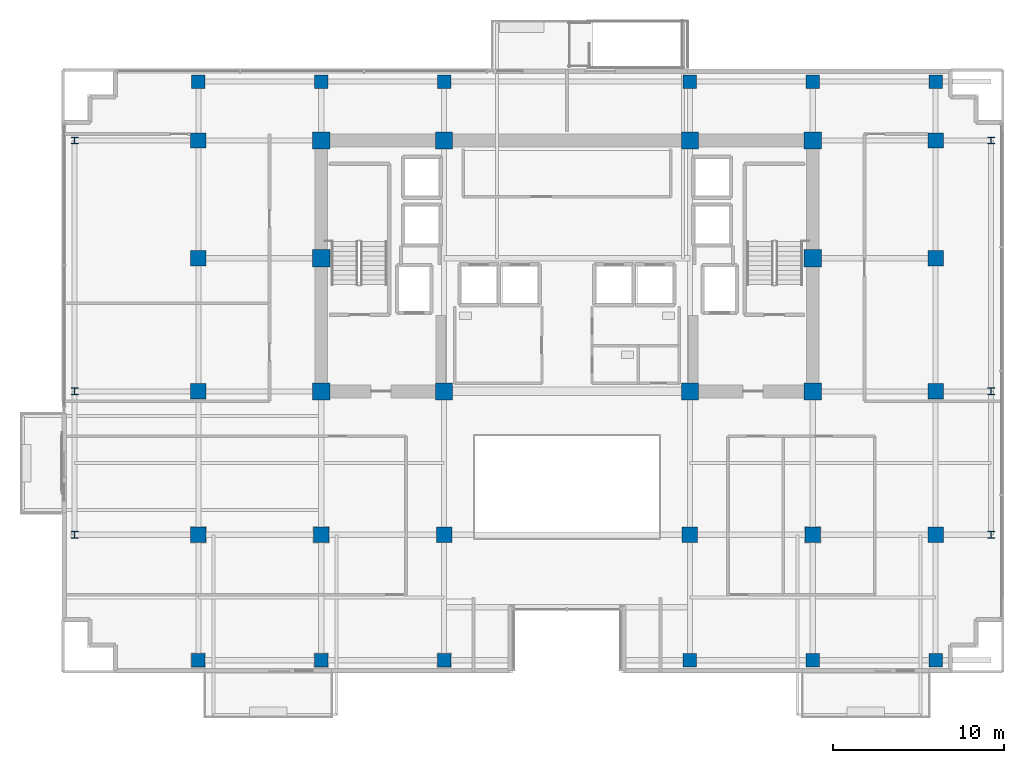
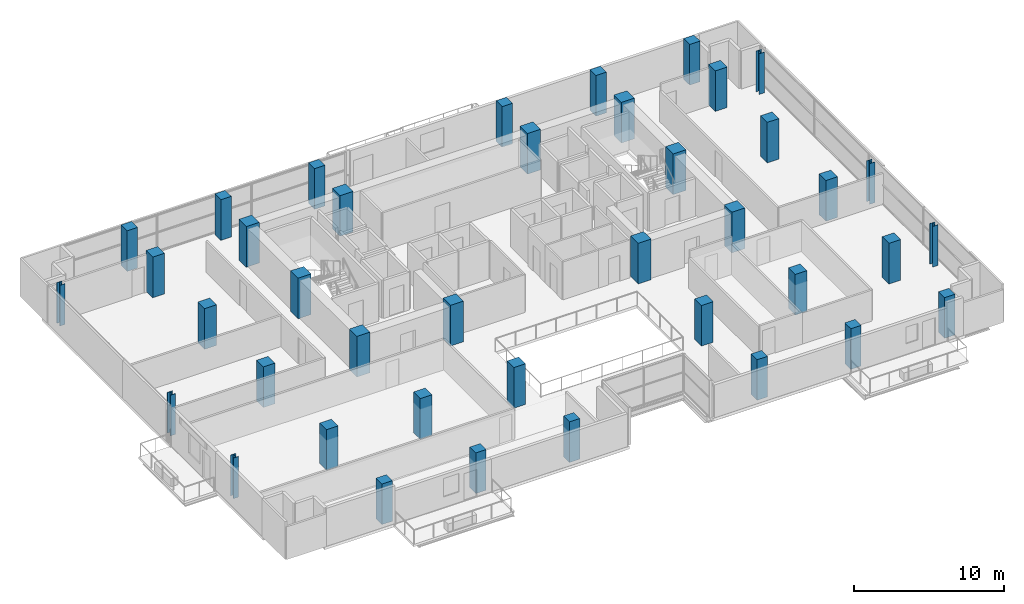
# One storey, part 1 of 28: 40 columns.
"""IFC4 building model written with IfcOpenShell, lengths in metres."""

from ifc_helpers import new_model, si_unit, direction, frame, origin, origin_2d, place, context, subcontext, project, spatial, rectangle, i_section, extrude, material, material_profile, profile_set, type_object, element, save


model = new_model("IFC4")

# Units and contexts
model_context = context("Model", 3, precision=1e-05, world=origin(), true_north=direction((0.0, 1.0)))
body_context = subcontext(model_context, "Body", "Model", "MODEL_VIEW")
ifc_project = project(units=[si_unit("LENGTHUNIT", "METRE"), si_unit("AREAUNIT", "SQUARE_METRE"), si_unit("VOLUMEUNIT", "CUBIC_METRE"), si_unit("PLANEANGLEUNIT", "RADIAN"), si_unit("MASSUNIT", "GRAM", prefix="KILO")], contexts=[model_context])

# Site, building, storey
site_placement = place(None, origin())
site = spatial("IfcSite", under=ifc_project, at=site_placement, CompositionType="ELEMENT")
building_placement = place(site_placement, origin())
building = spatial("IfcBuilding", under=site, at=building_placement, Name="Zarnakvel Exchange Tower", CompositionType="ELEMENT")
storey_placement = place(building_placement, frame((0.0, 0.0, 90.10009765625)))
storey = spatial("IfcBuildingStorey", under=building, at=storey_placement, Name="L24", CompositionType="ELEMENT", Elevation=90.10009765625)

# Columns
ifc_material_1 = material(Name="Concrete C60/75", Category="concrete")
ifc_material_profile_1 = material_profile(ifc_material_1, rectangle(XDim=1.0, YDim=1.0, at=origin_2d()))
ifc_profile_set_1 = profile_set([ifc_material_profile_1], Name="Concrete C60/75")
column_type_1 = type_object("IfcColumnType", Name="CC-02", PredefinedType="COLUMN", material=ifc_profile_set_1)
for number, where, z_axis, x_axis, name in (
    (1, (-14.39990234375, -1.199951171875, 0.0), (0.0, 0.0, 1.0), (1.0, 0.0, 0.0), "L24 Column C-4D (CC-02)"),
    (2, (-7.199951171875, -1.199951171875, 0.0), (0.0, 0.0, 1.0), (1.0, 0.0, 0.0), "L24 Column C-5D (CC-02)"),
    (3, (7.199951171875, -1.199951171875, 0.0), (0.0, 0.0, 1.0), (1.0, 0.0, 0.0), "L24 Column C-8D (CC-02)"),
    (4, (14.39990234375, -1.199951171875, 0.0), (0.0, 0.0, 1.0), (1.0, 0.0, 0.0), "L24 Column C-9D (CC-02)"),
    (5, (-14.39990234375, 6.60009765625, 0.0), (0.0, 0.0, 1.0), (1.0, 0.0, 0.0), "L24 Column C-4E (CC-02)"),
    (6, (14.39990234375, 6.60009765625, 0.0), (0.0, 0.0, 1.0), (1.0, 0.0, 0.0), "L24 Column C-9E (CC-02)"),
    (7, (-14.39990234375, 13.5, 0.0), (0.0, 0.0, 1.0), (1.0, 0.0, 0.0), "L24 Column C-4F (CC-02)"),
    (8, (-7.199951171875, 13.5, 0.0), (0.0, 0.0, 1.0), (1.0, 0.0, 0.0), "L24 Column C-5F (CC-02)"),
    (9, (7.199951171875, 13.5, 0.0), (0.0, 0.0, 1.0), (1.0, 0.0, 0.0), "L24 Column C-8F (CC-02)"),
    (10, (14.39990234375, 13.5, 0.0), (0.0, 0.0, 1.0), (1.0, 0.0, 0.0), "L24 Column C-9F (CC-02)"),
):
    element("IfcColumn", number, at=place(storey_placement, frame(where, z_axis=z_axis, x_axis=x_axis)), inside=storey, type_object=column_type_1, Name=name, PredefinedType="COLUMN", context=body_context, shape_type="SweptSolid", body=[
        extrude(rectangle(XDim=1.0, YDim=1.0, at=origin_2d()), origin(), (0.0, 0.0, 1.0), 3.2998046875),
    ])
ifc_material_2 = material(Name="Steel S355", Category="steel")
ifc_material_profile_2 = material_profile(ifc_material_2, i_section(OverallWidth=0.404052734375, OverallDepth=0.406982421875, WebThickness=0.0224609375, FlangeThickness=0.031982421875, FilletRadius=0.014892578125, at=origin_2d()))
ifc_profile_set_2 = profile_set([ifc_material_profile_2], Name="Steel S355")
column_type_2 = type_object("IfcColumnType", Name="SC-02", PredefinedType="COLUMN", material=ifc_profile_set_2)
for number, where, z_axis, x_axis, name in (
    (11, (-28.85009765625, -9.60009765625, 0.0), (0.0, 0.0, 1.0), (1.0, 0.0, 0.0), "L24 Column TW-C (SC-02)"),
    (12, (24.85009765625, -9.60009765625, 0.0), (0.0, 0.0, 1.0), (1.0, 0.0, 0.0), "L24 Column TE-C (SC-02)"),
    (13, (-28.85009765625, -1.199951171875, 0.0), (0.0, 0.0, 1.0), (1.0, 0.0, 0.0), "L24 Column TW-D (SC-02)"),
    (14, (24.85009765625, -1.199951171875, 0.0), (0.0, 0.0, 1.0), (1.0, 0.0, 0.0), "L24 Column TE-D (SC-02)"),
    (15, (-28.85009765625, 13.5, 0.0), (0.0, 0.0, 1.0), (1.0, 0.0, 0.0), "L24 Column TW-F (SC-02)"),
    (16, (24.85009765625, 13.5, 0.0), (0.0, 0.0, 1.0), (1.0, 0.0, 0.0), "L24 Column TE-F (SC-02)"),
):
    element("IfcColumn", number, at=place(storey_placement, frame(where, z_axis=z_axis, x_axis=x_axis)), inside=storey, type_object=column_type_2, Name=name, PredefinedType="COLUMN", context=body_context, shape_type="SweptSolid", body=[
        extrude(i_section(OverallWidth=0.404052734375, OverallDepth=0.406982421875, WebThickness=0.0224609375, FlangeThickness=0.031982421875, FilletRadius=0.014892578125, at=origin_2d()), origin(), (0.0, 0.0, 1.0), 3.2998046875),
    ])
ifc_material_profile_3 = material_profile(ifc_material_1, rectangle(XDim=0.89990234375, YDim=0.89990234375, at=origin_2d()))
ifc_profile_set_3 = profile_set([ifc_material_profile_3], Name="Concrete C60/75")
column_type_3 = type_object("IfcColumnType", Name="TC-02", PredefinedType="COLUMN", material=ifc_profile_set_3)
for number, where, z_axis, x_axis, name in (
    (17, (-14.39990234375, -9.60009765625, 0.0), (0.0, 0.0, 1.0), (1.0, 0.0, 0.0), "L24 Column T-4C (TC-02)"),
    (18, (-7.199951171875, -9.60009765625, 0.0), (0.0, 0.0, 1.0), (1.0, 0.0, 0.0), "L24 Column T-5C (TC-02)"),
    (19, (7.199951171875, -9.60009765625, 0.0), (0.0, 0.0, 1.0), (1.0, 0.0, 0.0), "L24 Column T-8C (TC-02)"),
    (20, (14.39990234375, -9.60009765625, 0.0), (0.0, 0.0, 1.0), (1.0, 0.0, 0.0), "L24 Column T-9C (TC-02)"),
    (21, (-21.60009765625, -9.60009765625, 0.0), (0.0, 0.0, 1.0), (1.0, 0.0, 0.0), "L24 Column T-3C (TC-02)"),
    (22, (-21.60009765625, -1.199951171875, 0.0), (0.0, 0.0, 1.0), (1.0, 0.0, 0.0), "L24 Column T-3D (TC-02)"),
    (23, (-21.60009765625, 6.60009765625, 0.0), (0.0, 0.0, 1.0), (1.0, 0.0, 0.0), "L24 Column T-3E (TC-02)"),
    (24, (-21.60009765625, 13.5, 0.0), (0.0, 0.0, 1.0), (1.0, 0.0, 0.0), "L24 Column T-3F (TC-02)"),
    (25, (21.60009765625, -9.60009765625, 0.0), (0.0, 0.0, 1.0), (1.0, 0.0, 0.0), "L24 Column T-10C (TC-02)"),
    (26, (21.60009765625, -1.199951171875, 0.0), (0.0, 0.0, 1.0), (1.0, 0.0, 0.0), "L24 Column T-10D (TC-02)"),
    (27, (21.60009765625, 6.60009765625, 0.0), (0.0, 0.0, 1.0), (1.0, 0.0, 0.0), "L24 Column T-10E (TC-02)"),
    (28, (21.60009765625, 13.5, 0.0), (0.0, 0.0, 1.0), (1.0, 0.0, 0.0), "L24 Column T-10F (TC-02)"),
):
    element("IfcColumn", number, at=place(storey_placement, frame(where, z_axis=z_axis, x_axis=x_axis)), inside=storey, type_object=column_type_3, Name=name, PredefinedType="COLUMN", context=body_context, shape_type="SweptSolid", body=[
        extrude(rectangle(XDim=0.89990234375, YDim=0.89990234375, at=origin_2d()), origin(), (0.0, 0.0, 1.0), 3.2998046875),
    ])
ifc_material_profile_4 = material_profile(ifc_material_1, rectangle(XDim=0.800048828125, YDim=0.800048828125, at=origin_2d()))
ifc_profile_set_4 = profile_set([ifc_material_profile_4], Name="Concrete C60/75")
column_type_4 = type_object("IfcColumnType", Name="TC-03", PredefinedType="COLUMN", material=ifc_profile_set_4)
for number, where, z_axis, x_axis, name in (
    (29, (-14.39990234375, -16.949951171875, 0.0), (0.0, 0.0, 1.0), (1.0, 0.0, 0.0), "L24 Column TS-4 (TC-03)"),
    (30, (-14.39990234375, 16.949951171875, 0.0), (0.0, 0.0, 1.0), (1.0, 0.0, 0.0), "L24 Column TN-4 (TC-03)"),
    (31, (-7.199951171875, -16.949951171875, 0.0), (0.0, 0.0, 1.0), (1.0, 0.0, 0.0), "L24 Column TS-5 (TC-03)"),
    (32, (-7.199951171875, 16.949951171875, 0.0), (0.0, 0.0, 1.0), (1.0, 0.0, 0.0), "L24 Column TN-5 (TC-03)"),
    (33, (7.199951171875, -16.949951171875, 0.0), (0.0, 0.0, 1.0), (1.0, 0.0, 0.0), "L24 Column TS-8 (TC-03)"),
    (34, (7.199951171875, 16.949951171875, 0.0), (0.0, 0.0, 1.0), (1.0, 0.0, 0.0), "L24 Column TN-8 (TC-03)"),
    (35, (14.39990234375, -16.949951171875, 0.0), (0.0, 0.0, 1.0), (1.0, 0.0, 0.0), "L24 Column TS-9 (TC-03)"),
    (36, (14.39990234375, 16.949951171875, 0.0), (0.0, 0.0, 1.0), (1.0, 0.0, 0.0), "L24 Column TN-9 (TC-03)"),
    (37, (-21.60009765625, -16.949951171875, 0.0), (0.0, 0.0, 1.0), (1.0, 0.0, 0.0), "L24 Column TS-3 (TC-03)"),
    (38, (-21.60009765625, 16.949951171875, 0.0), (0.0, 0.0, 1.0), (1.0, 0.0, 0.0), "L24 Column TN-3 (TC-03)"),
    (39, (21.60009765625, -16.949951171875, 0.0), (0.0, 0.0, 1.0), (1.0, 0.0, 0.0), "L24 Column TS-10 (TC-03)"),
    (40, (21.60009765625, 16.949951171875, 0.0), (0.0, 0.0, 1.0), (1.0, 0.0, 0.0), "L24 Column TN-10 (TC-03)"),
):
    element("IfcColumn", number, at=place(storey_placement, frame(where, z_axis=z_axis, x_axis=x_axis)), inside=storey, type_object=column_type_4, Name=name, PredefinedType="COLUMN", context=body_context, shape_type="SweptSolid", body=[
        extrude(rectangle(XDim=0.800048828125, YDim=0.800048828125, at=origin_2d()), origin(), (0.0, 0.0, 1.0), 3.2998046875),
    ])

save(model, "model.ifc")
